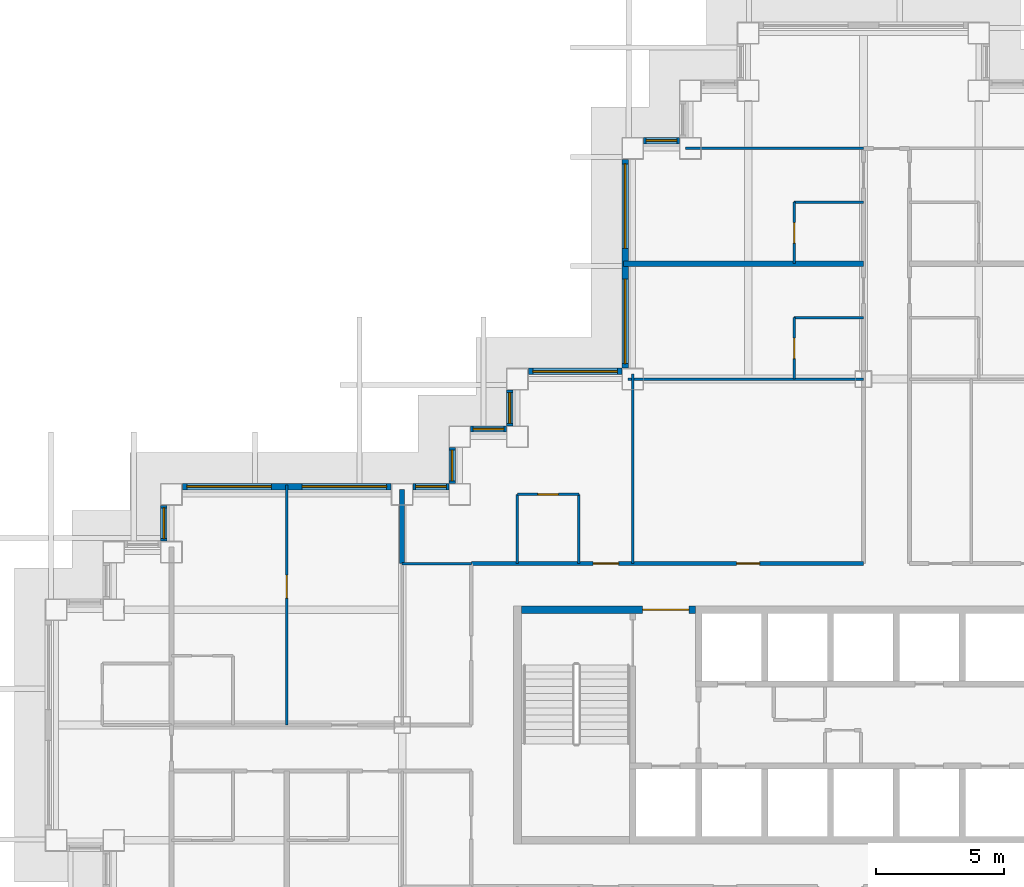
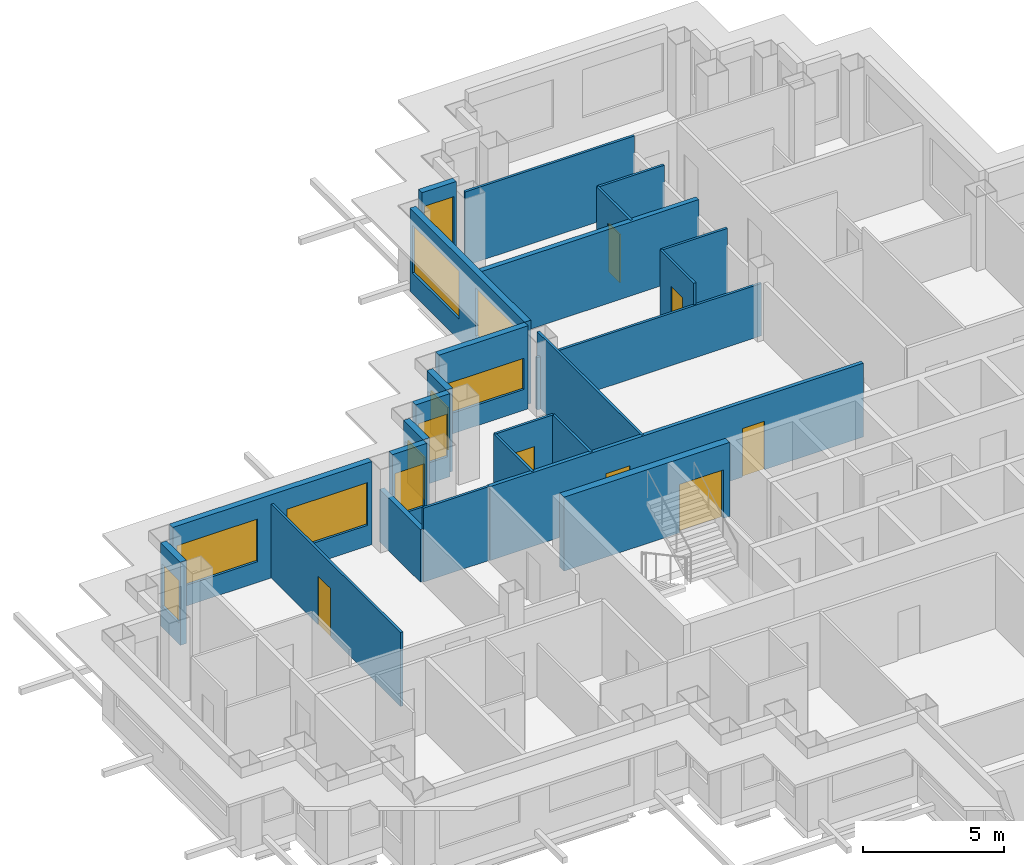
# One storey, part 9 of 17: 25 walls, 11 windows, 7 doors, 18 openings.
"""IFC4 building model written with IfcOpenShell, lengths in metres."""

from ifc_helpers import new_model, si_unit, direction, frame, frame_2d, origin, place, context, subcontext, project, spatial, rectangle, extrude, material, layer, layer_set, type_object, element, fill, save


model = new_model("IFC4")

# Units and contexts
model_context = context("Model", 3, precision=1e-05, world=origin(), true_north=direction((0.0, 1.0)))
body_context = subcontext(model_context, "Body", "Model", "MODEL_VIEW")
ifc_project = project(units=[si_unit("LENGTHUNIT", "METRE"), si_unit("AREAUNIT", "SQUARE_METRE"), si_unit("VOLUMEUNIT", "CUBIC_METRE"), si_unit("PLANEANGLEUNIT", "RADIAN"), si_unit("MASSUNIT", "GRAM", prefix="KILO")], contexts=[model_context])

# Site, building, storey
site_placement = place(None, origin())
site = spatial("IfcSite", under=ifc_project, at=site_placement, CompositionType="ELEMENT")
building_placement = place(site_placement, origin())
building = spatial("IfcBuilding", under=site, at=building_placement, Name="Caravel Reach Hotel and Residences", CompositionType="ELEMENT")
storey_placement = place(building_placement, frame((0.0, 0.0, 136.800048828125)))
storey = spatial("IfcBuildingStorey", under=building, at=storey_placement, Name="L34", CompositionType="ELEMENT", Elevation=136.800048828125)

# Wall, opening, door
ifc_material_1 = material(Name="Gypsum board on steel stud", Category="steel")
ifc_layer_1 = layer(ifc_material_1, 0.10009765625)
ifc_layer_set_1 = layer_set([ifc_layer_1], Name="Bathroom pod wall 100 mm")
wall_type_1 = type_object("IfcWallType", Name="Bathroom pod wall 100 mm", PredefinedType="PARTITIONING", material=ifc_layer_set_1)
wall_1_placement = place(storey_placement, frame((18.0, 36.0, 0.0), z_axis=(0.0, 0.0, 1.0), x_axis=(1.0, 0.0, 0.0)))
wall_1 = element("IfcWall", 1, at=wall_1_placement, inside=storey, type_object=wall_type_1, Name="L34 wall w092", PredefinedType="PARTITIONING", context=body_context, shape_type="SweptSolid", body=[
    extrude(rectangle(XDim=2.39990234375, YDim=0.10009765625, at=frame_2d((1.199951171875, 0.0))), origin(), (0.0, 0.0, 1.0), 3.199951171875),
])
opening_1_placement = place(wall_1_placement, frame((0.800048828125, 0.0, 0.0)))
opening_1 = element("IfcOpeningElement", 2, at=opening_1_placement, cuts=wall_1, Name="Opening D34-049", PredefinedType="OPENING", context=body_context, shape_type="SweptSolid", body=[
    extrude(rectangle(XDim=0.800048828125, YDim=2.10009765625, at=frame_2d((0.39990234375, 1.050048828125))), frame((0.0, 0.06005859375, 0.0), z_axis=(0.0, -1.0, 0.0), x_axis=(1.0, 0.0, 0.0)), (0.0, 0.0, 1.0), 0.1201171875),
])
ifc_material_2 = material(Name="Timber and steel door leaf", Category="steel")
door_type_1 = type_object("IfcDoorType", Name="Bathroom door 800 x 2100", OperationType="SINGLE_SWING_LEFT", PredefinedType="DOOR", material=ifc_material_2)
door_1_placement = place(opening_1_placement, origin())
door_1 = element("IfcDoor", 3, at=door_1_placement, inside=storey, type_object=door_type_1, Name="door D34-049", OperationType="SINGLE_SWING_LEFT", OverallHeight=2.10009765625, OverallWidth=0.800048828125, PredefinedType="DOOR", context=body_context, shape_type="SweptSolid", body=[
    extrude(rectangle(XDim=0.800048828125, YDim=2.10009765625, at=frame_2d((0.39990234375, 1.050048828125))), frame((0.0, 0.02490234375, 0.0), z_axis=(0.0, -1.0, 0.0), x_axis=(1.0, 0.0, 0.0)), (0.0, 0.0, 1.0), 0.050048828125),
])
fill(opening_1, door_1)

# Walls
for number, where, z_axis, x_axis, name in (
    (4, (28.800048828125, 42.89990234375, 0.0), (0.0, 0.0, 1.0), (1.0, 0.0, 0.0), "L34 wall w095"),
    (5, (28.800048828125, 47.39990234375, 0.0), (0.0, 0.0, 1.0), (1.0, 0.0, 0.0), "L34 wall w097"),
    (6, (18.0, 33.300048828125, 0.0), (0.0, 0.0, 1.0), (0.0, 1.0, 0.0), "L34 wall w102"),
    (7, (20.39990234375, 33.300048828125, 0.0), (0.0, 0.0, 1.0), (0.0, 1.0, 0.0), "L34 wall w104"),
):
    element("IfcWall", number, at=place(storey_placement, frame(where, z_axis=z_axis, x_axis=x_axis)), inside=storey, type_object=wall_type_1, Name=name, PredefinedType="PARTITIONING", context=body_context, shape_type="SweptSolid", body=[
        extrude(rectangle(XDim=2.699951171875, YDim=0.10009765625, at=frame_2d((1.35009765625, 0.0))), origin(), (0.0, 0.0, 1.0), 3.199951171875),
    ])

# Wall, opening, door
wall_2_placement = place(storey_placement, frame((28.800048828125, 40.5, 0.0), z_axis=(0.0, 0.0, 1.0), x_axis=(0.0, 1.0, 0.0)))
wall_2 = element("IfcWall", 8, at=wall_2_placement, inside=storey, type_object=wall_type_1, Name="L34 wall w109", PredefinedType="PARTITIONING", context=body_context, shape_type="SweptSolid", body=[
    extrude(rectangle(XDim=2.39990234375, YDim=0.10009765625, at=frame_2d((1.199951171875, 0.0))), origin(), (0.0, 0.0, 1.0), 3.199951171875),
])
opening_2_placement = place(wall_2_placement, frame((0.800048828125, 0.0, 0.0)))
opening_2 = element("IfcOpeningElement", 9, at=opening_2_placement, cuts=wall_2, Name="Opening D34-028", PredefinedType="OPENING", context=body_context, shape_type="SweptSolid", body=[
    extrude(rectangle(XDim=0.800048828125, YDim=2.10009765625, at=frame_2d((0.39990234375, 1.050048828125))), frame((0.0, 0.06005859375, 0.0), z_axis=(0.0, -1.0, 0.0), x_axis=(1.0, 0.0, 0.0)), (0.0, 0.0, 1.0), 0.1201171875),
])
door_2_placement = place(opening_2_placement, origin())
door_2 = element("IfcDoor", 10, at=door_2_placement, inside=storey, type_object=door_type_1, Name="door D34-028", OperationType="SINGLE_SWING_LEFT", OverallHeight=2.10009765625, OverallWidth=0.800048828125, PredefinedType="DOOR", context=body_context, shape_type="SweptSolid", body=[
    extrude(rectangle(XDim=0.800048828125, YDim=2.10009765625, at=frame_2d((0.39990234375, 1.050048828125))), frame((0.0, 0.02490234375, 0.0), z_axis=(0.0, -1.0, 0.0), x_axis=(1.0, 0.0, 0.0)), (0.0, 0.0, 1.0), 0.050048828125),
])
fill(opening_2, door_2)

wall_3_placement = place(storey_placement, frame((28.800048828125, 45.0, 0.0), z_axis=(0.0, 0.0, 1.0), x_axis=(0.0, 1.0, 0.0)))
wall_3 = element("IfcWall", 11, at=wall_3_placement, inside=storey, type_object=wall_type_1, Name="L34 wall w110", PredefinedType="PARTITIONING", context=body_context, shape_type="SweptSolid", body=[
    extrude(rectangle(XDim=2.39990234375, YDim=0.10009765625, at=frame_2d((1.199951171875, 0.0))), origin(), (0.0, 0.0, 1.0), 3.199951171875),
])
opening_3_placement = place(wall_3_placement, frame((0.800048828125, 0.0, 0.0)))
opening_3 = element("IfcOpeningElement", 12, at=opening_3_placement, cuts=wall_3, Name="Opening D34-030", PredefinedType="OPENING", context=body_context, shape_type="SweptSolid", body=[
    extrude(rectangle(XDim=0.800048828125, YDim=2.10009765625, at=frame_2d((0.39990234375, 1.050048828125))), frame((0.0, 0.06005859375, 0.0), z_axis=(0.0, -1.0, 0.0), x_axis=(1.0, 0.0, 0.0)), (0.0, 0.0, 1.0), 0.1201171875),
])
door_3_placement = place(opening_3_placement, origin())
door_3 = element("IfcDoor", 13, at=door_3_placement, inside=storey, type_object=door_type_1, Name="door D34-030", OperationType="SINGLE_SWING_LEFT", OverallHeight=2.10009765625, OverallWidth=0.800048828125, PredefinedType="DOOR", context=body_context, shape_type="SweptSolid", body=[
    extrude(rectangle(XDim=0.800048828125, YDim=2.10009765625, at=frame_2d((0.39990234375, 1.050048828125))), frame((0.0, 0.02490234375, 0.0), z_axis=(0.0, -1.0, 0.0), x_axis=(1.0, 0.0, 0.0)), (0.0, 0.0, 1.0), 0.050048828125),
])
fill(opening_3, door_3)

ifc_material_3 = material(Name="Concrete C60", Category="concrete")
ifc_layer_2 = layer(ifc_material_3, 0.300048828125)
ifc_layer_set_2 = layer_set([ifc_layer_2], Name="Core wall 300 mm EI 120")
wall_type_2 = type_object("IfcWallType", Name="Core wall 300 mm EI 120", PredefinedType="SHEAR", material=ifc_layer_set_2)
wall_4_placement = place(storey_placement, frame((18.14990234375, 31.5, 0.0), z_axis=(0.0, 0.0, 1.0), x_axis=(1.0, 0.0, 0.0)))
wall_4 = element("IfcWall", 14, at=wall_4_placement, inside=storey, type_object=wall_type_2, Name="L34 core wall N1", PredefinedType="SHEAR", context=body_context, shape_type="SweptSolid", body=[
    extrude(rectangle(XDim=6.796630859375, YDim=0.300048828125, at=frame_2d((3.3984375, 0.0))), origin(), (0.0, 0.0, 1.0), 3.199951171875),
])
opening_4_placement = place(wall_4_placement, frame((4.735595703125, 0.0, 0.0)))
opening_4 = element("IfcOpeningElement", 15, at=opening_4_placement, cuts=wall_4, Name="Opening D34-014", PredefinedType="OPENING", context=body_context, shape_type="SweptSolid", body=[
    extrude(rectangle(XDim=1.800048828125, YDim=2.10009765625, at=frame_2d((0.89990234375, 1.050048828125))), frame((0.0, 0.159912109375, 0.0), z_axis=(0.0, -1.0, 0.0), x_axis=(1.0, 0.0, 0.0)), (0.0, 0.0, 1.0), 0.320068359375),
])
ifc_material_4 = material(Name="Steel fire door leaf", Category="steel")
door_type_2 = type_object("IfcDoorType", Name="Fire lobby door pair 1800 x 2100 EI 90", OperationType="DOUBLE_DOOR_SINGLE_SWING", PredefinedType="DOOR", material=ifc_material_4)
door_4_placement = place(opening_4_placement, origin())
door_4 = element("IfcDoor", 16, at=door_4_placement, inside=storey, type_object=door_type_2, Name="lobby N door pair to corridor", OperationType="DOUBLE_DOOR_SINGLE_SWING", OverallHeight=2.10009765625, OverallWidth=1.800048828125, PredefinedType="DOOR", context=body_context, shape_type="SweptSolid", body=[
    extrude(rectangle(XDim=1.800048828125, YDim=2.10009765625, at=frame_2d((0.89990234375, 1.050048828125))), frame((0.0, 0.02490234375, 0.0), z_axis=(0.0, -1.0, 0.0), x_axis=(1.0, 0.0, 0.0)), (0.0, 0.0, 1.0), 0.050048828125),
])
fill(opening_4, door_4)

# Wall, openings, doors
ifc_material_5 = material(Name="Gypsum board on steel stud, fire-rated", Category="steel")
ifc_layer_3 = layer(ifc_material_5, 0.14990234375)
ifc_layer_set_3 = layer_set([ifc_layer_3], Name="Corridor wall 150 mm EI 60")
wall_type_3 = type_object("IfcWallType", Name="Corridor wall 150 mm EI 60", PredefinedType="PARTITIONING", material=ifc_layer_set_3)
wall_5_placement = place(storey_placement, frame((16.199951171875, 33.300048828125, 0.0), z_axis=(0.0, 0.0, 1.0), x_axis=(1.0, 0.0, 0.0)))
wall_5 = element("IfcWall", 17, at=wall_5_placement, inside=storey, type_object=wall_type_3, Name="L34 wall w017", PredefinedType="PARTITIONING", context=body_context, shape_type="SweptSolid", body=[
    extrude(rectangle(XDim=15.300048828125, YDim=0.14990234375, at=frame_2d((7.64990234375, 0.0))), origin(), (0.0, 0.0, 1.0), 3.199951171875),
])
opening_5_placement = place(wall_5_placement, frame((4.75, 0.0, 0.0)))
opening_5 = element("IfcOpeningElement", 18, at=opening_5_placement, cuts=wall_5, Name="Opening D34-048", PredefinedType="OPENING", context=body_context, shape_type="SweptSolid", body=[
    extrude(rectangle(XDim=1.0, YDim=2.10009765625, at=frame_2d((0.5, 1.050048828125))), frame((0.0, 0.0849609375, 0.0), z_axis=(0.0, -1.0, 0.0), x_axis=(1.0, 0.0, 0.0)), (0.0, 0.0, 1.0), 0.169921875),
])
opening_6_placement = place(wall_5_placement, frame((10.35009765625, 0.0, 0.0)))
opening_6 = element("IfcOpeningElement", 19, at=opening_6_placement, cuts=wall_5, Name="Opening D34-057", PredefinedType="OPENING", context=body_context, shape_type="SweptSolid", body=[
    extrude(rectangle(XDim=0.89990234375, YDim=2.10009765625, at=frame_2d((0.449951171875, 1.050048828125))), frame((0.0, 0.0849609375, 0.0), z_axis=(0.0, -1.0, 0.0), x_axis=(1.0, 0.0, 0.0)), (0.0, 0.0, 1.0), 0.169921875),
])
ifc_material_6 = material(Name="Timber and steel door leaf", Category="steel")
door_type_3 = type_object("IfcDoorType", Name="Door 900 x 2100 timber", OperationType="SINGLE_SWING_LEFT", PredefinedType="DOOR", material=ifc_material_6)
door_5_placement = place(opening_6_placement, origin())
door_5 = element("IfcDoor", 20, at=door_5_placement, inside=storey, type_object=door_type_3, Name="door D34-057", OperationType="SINGLE_SWING_RIGHT", OverallHeight=2.10009765625, OverallWidth=0.89990234375, PredefinedType="DOOR", context=body_context, shape_type="SweptSolid", body=[
    extrude(rectangle(XDim=0.89990234375, YDim=2.10009765625, at=frame_2d((0.449951171875, 1.050048828125))), frame((0.0, 0.02490234375, 0.0), z_axis=(0.0, -1.0, 0.0), x_axis=(1.0, 0.0, 0.0)), (0.0, 0.0, 1.0), 0.050048828125),
])
fill(opening_6, door_5)
ifc_material_7 = material(Name="Steel fire door leaf", Category="steel")
door_type_4 = type_object("IfcDoorType", Name="Guest room door 1000 x 2100 EI 30", OperationType="SINGLE_SWING_LEFT", PredefinedType="DOOR", material=ifc_material_7)
door_6_placement = place(opening_5_placement, origin())
door_6 = element("IfcDoor", 21, at=door_6_placement, inside=storey, type_object=door_type_4, Name="door D34-048", OperationType="SINGLE_SWING_RIGHT", OverallHeight=2.10009765625, OverallWidth=1.0, PredefinedType="DOOR", context=body_context, shape_type="SweptSolid", body=[
    extrude(rectangle(XDim=1.0, YDim=2.10009765625, at=frame_2d((0.5, 1.050048828125))), frame((0.0, 0.02490234375, 0.0), z_axis=(0.0, -1.0, 0.0), x_axis=(1.0, 0.0, 0.0)), (0.0, 0.0, 1.0), 0.050048828125),
])
fill(opening_5, door_6)

# Wall, opening, window
ifc_material_8 = material(Name="Insulated rainscreen wall, aluminium cladding", Category="aluminium")
ifc_layer_4 = layer(ifc_material_8, 0.25)
ifc_layer_set_4 = layer_set([ifc_layer_4], Name="EW1 Tower rainscreen wall")
wall_type_4 = type_object("IfcWallType", Name="EW1 Tower rainscreen wall", PredefinedType="SOLIDWALL", material=ifc_layer_set_4)
wall_6_placement = place(storey_placement, frame((24.324951171875, 49.800048828125, 0.0), z_axis=(0.0, 0.0, 1.0), x_axis=(-1.0, 0.0, 0.0)))
wall_6 = element("IfcWall", 22, at=wall_6_placement, inside=storey, type_object=wall_type_4, Name="External wall L34 N39.1", PredefinedType="SOLIDWALL", context=body_context, shape_type="SweptSolid", body=[
    extrude(rectangle(XDim=1.39990234375, YDim=0.25, at=frame_2d((0.699951171875, 0.0))), origin(), (0.0, 0.0, 1.0), 3.599853515625),
])
opening_7_placement = place(wall_6_placement, frame((0.10009765625, 0.0, 0.89990234375)))
opening_7 = element("IfcOpeningElement", 23, at=opening_7_placement, cuts=wall_6, Name="Opening WN9", PredefinedType="OPENING", context=body_context, shape_type="SweptSolid", body=[
    extrude(rectangle(XDim=1.199951171875, YDim=2.080078125, at=frame_2d((0.60009765625, 1.0400390625))), frame((0.0, 0.135009765625, 0.0), z_axis=(0.0, -1.0, 0.0), x_axis=(1.0, 0.0, 0.0)), (0.0, 0.0, 1.0), 0.27001953125),
])
ifc_material_9 = material(Name="Dark low-e glazing in black aluminium frame", Category="aluminium")
window_type_1 = type_object("IfcWindowType", Name="Hotel suite corner window 1200 x 2080", PartitioningType="SINGLE_PANEL", PredefinedType="WINDOW", material=ifc_material_9)
window_1_placement = place(opening_7_placement, origin())
window_1 = element("IfcWindow", 24, at=window_1_placement, inside=storey, type_object=window_type_1, Name="Window L34 N39.1.1", OverallHeight=2.080078125, OverallWidth=1.199951171875, PartitioningType="SINGLE_PANEL", PredefinedType="WINDOW", context=body_context, shape_type="SweptSolid", body=[
    extrude(rectangle(XDim=1.199951171875, YDim=2.080078125, at=frame_2d((0.60009765625, 1.0400390625))), frame((0.0, 0.030029296875, 0.0), z_axis=(0.0, -1.0, 0.0), x_axis=(1.0, 0.0, 0.0)), (0.0, 0.0, 1.0), 0.06005859375),
])
fill(opening_7, window_1)

# Wall, openings, windows
wall_7_placement = place(storey_placement, frame((22.199951171875, 49.074951171875, 0.0), z_axis=(0.0, 0.0, 1.0), x_axis=(0.0, -1.0, 0.0)))
wall_7 = element("IfcWall", 25, at=wall_7_placement, inside=storey, type_object=wall_type_4, Name="External wall L34 W40.1", PredefinedType="SOLIDWALL", context=body_context, shape_type="SweptSolid", body=[
    extrude(rectangle(XDim=8.14990234375, YDim=0.25, at=frame_2d((4.074951171875, 0.0))), origin(), (0.0, 0.0, 1.0), 3.599853515625),
])
opening_8_placement = place(wall_7_placement, frame((0.175048828125, 0.0, 0.89990234375)))
opening_8 = element("IfcOpeningElement", 26, at=opening_8_placement, cuts=wall_7, Name="Opening WN4", PredefinedType="OPENING", context=body_context, shape_type="SweptSolid", body=[
    extrude(rectangle(XDim=3.300048828125, YDim=2.080078125, at=frame_2d((1.64990234375, 1.0400390625))), frame((0.0, 0.135009765625, 0.0), z_axis=(0.0, -1.0, 0.0), x_axis=(1.0, 0.0, 0.0)), (0.0, 0.0, 1.0), 0.27001953125),
])
opening_9_placement = place(wall_7_placement, frame((4.675048828125, 0.0, 0.89990234375)))
opening_9 = element("IfcOpeningElement", 27, at=opening_9_placement, cuts=wall_7, Name="Opening WN4", PredefinedType="OPENING", context=body_context, shape_type="SweptSolid", body=[
    extrude(rectangle(XDim=3.300048828125, YDim=2.080078125, at=frame_2d((1.64990234375, 1.0400390625))), frame((0.0, 0.135009765625, 0.0), z_axis=(0.0, -1.0, 0.0), x_axis=(1.0, 0.0, 0.0)), (0.0, 0.0, 1.0), 0.27001953125),
])
ifc_material_10 = material(Name="Dark low-e glazing in black aluminium frame", Category="aluminium")
window_type_2 = type_object("IfcWindowType", Name="Hotel guest room window 3300 x 2080", PartitioningType="SINGLE_PANEL", PredefinedType="WINDOW", material=ifc_material_10)
window_2_placement = place(opening_8_placement, origin())
window_2 = element("IfcWindow", 28, at=window_2_placement, inside=storey, type_object=window_type_2, Name="Window L34 W40.1.1", OverallHeight=2.080078125, OverallWidth=3.300048828125, PartitioningType="SINGLE_PANEL", PredefinedType="WINDOW", context=body_context, shape_type="SweptSolid", body=[
    extrude(rectangle(XDim=3.300048828125, YDim=2.080078125, at=frame_2d((1.64990234375, 1.0400390625))), frame((0.0, 0.030029296875, 0.0), z_axis=(0.0, -1.0, 0.0), x_axis=(1.0, 0.0, 0.0)), (0.0, 0.0, 1.0), 0.06005859375),
])
fill(opening_8, window_2)
window_3_placement = place(opening_9_placement, origin())
window_3 = element("IfcWindow", 29, at=window_3_placement, inside=storey, type_object=window_type_2, Name="Window L34 W40.1.2", OverallHeight=2.080078125, OverallWidth=3.300048828125, PartitioningType="SINGLE_PANEL", PredefinedType="WINDOW", context=body_context, shape_type="SweptSolid", body=[
    extrude(rectangle(XDim=3.300048828125, YDim=2.080078125, at=frame_2d((1.64990234375, 1.0400390625))), frame((0.0, 0.030029296875, 0.0), z_axis=(0.0, -1.0, 0.0), x_axis=(1.0, 0.0, 0.0)), (0.0, 0.0, 1.0), 0.06005859375),
])
fill(opening_9, window_3)

# Wall, opening, window
wall_8_placement = place(storey_placement, frame((22.074951171875, 40.800048828125, 0.0), z_axis=(0.0, 0.0, 1.0), x_axis=(-1.0, 0.0, 0.0)))
wall_8 = element("IfcWall", 30, at=wall_8_placement, inside=storey, type_object=wall_type_4, Name="External wall L34 N41.1", PredefinedType="SOLIDWALL", context=body_context, shape_type="SweptSolid", body=[
    extrude(rectangle(XDim=3.64990234375, YDim=0.25, at=frame_2d((1.824951171875, 0.0))), origin(), (0.0, 0.0, 1.0), 3.599853515625),
])
opening_10_placement = place(wall_8_placement, frame((0.175048828125, 0.0, 0.89990234375)))
opening_10 = element("IfcOpeningElement", 31, at=opening_10_placement, cuts=wall_8, Name="Opening WN11", PredefinedType="OPENING", context=body_context, shape_type="SweptSolid", body=[
    extrude(rectangle(XDim=3.300048828125, YDim=1.35009765625, at=frame_2d((1.64990234375, 0.675048828125))), frame((0.0, 0.135009765625, 0.0), z_axis=(0.0, -1.0, 0.0), x_axis=(1.0, 0.0, 0.0)), (0.0, 0.0, 1.0), 0.27001953125),
])
ifc_material_11 = material(Name="Dark low-e glazing in black aluminium frame", Category="aluminium")
window_type_3 = type_object("IfcWindowType", Name="Hotel guest room window 3300 x 1350", PartitioningType="SINGLE_PANEL", PredefinedType="WINDOW", material=ifc_material_11)
window_4_placement = place(opening_10_placement, origin())
window_4 = element("IfcWindow", 32, at=window_4_placement, inside=storey, type_object=window_type_3, Name="Window L34 N41.1.1", OverallHeight=1.35009765625, OverallWidth=3.300048828125, PartitioningType="SINGLE_PANEL", PredefinedType="WINDOW", context=body_context, shape_type="SweptSolid", body=[
    extrude(rectangle(XDim=3.300048828125, YDim=1.35009765625, at=frame_2d((1.64990234375, 0.675048828125))), frame((0.0, 0.030029296875, 0.0), z_axis=(0.0, -1.0, 0.0), x_axis=(1.0, 0.0, 0.0)), (0.0, 0.0, 1.0), 0.06005859375),
])
fill(opening_10, window_4)

wall_9_placement = place(storey_placement, frame((17.699951171875, 40.074951171875, 0.0), z_axis=(0.0, 0.0, 1.0), x_axis=(0.0, -1.0, 0.0)))
wall_9 = element("IfcWall", 33, at=wall_9_placement, inside=storey, type_object=wall_type_4, Name="External wall L34 W42.1", PredefinedType="SOLIDWALL", context=body_context, shape_type="SweptSolid", body=[
    extrude(rectangle(XDim=1.39990234375, YDim=0.25, at=frame_2d((0.699951171875, 0.0))), origin(), (0.0, 0.0, 1.0), 3.599853515625),
])
opening_11_placement = place(wall_9_placement, frame((0.10009765625, 0.0, 0.89990234375)))
opening_11 = element("IfcOpeningElement", 34, at=opening_11_placement, cuts=wall_9, Name="Opening WN10", PredefinedType="OPENING", context=body_context, shape_type="SweptSolid", body=[
    extrude(rectangle(XDim=1.199951171875, YDim=1.85009765625, at=frame_2d((0.60009765625, 0.925048828125))), frame((0.0, 0.135009765625, 0.0), z_axis=(0.0, -1.0, 0.0), x_axis=(1.0, 0.0, 0.0)), (0.0, 0.0, 1.0), 0.27001953125),
])
ifc_material_12 = material(Name="Dark low-e glazing in black aluminium frame", Category="aluminium")
window_type_4 = type_object("IfcWindowType", Name="Hotel suite corner window 1200 x 1850", PartitioningType="SINGLE_PANEL", PredefinedType="WINDOW", material=ifc_material_12)
window_5_placement = place(opening_11_placement, origin())
window_5 = element("IfcWindow", 35, at=window_5_placement, inside=storey, type_object=window_type_4, Name="Window L34 W42.1.1", OverallHeight=1.85009765625, OverallWidth=1.199951171875, PartitioningType="SINGLE_PANEL", PredefinedType="WINDOW", context=body_context, shape_type="SweptSolid", body=[
    extrude(rectangle(XDim=1.199951171875, YDim=1.85009765625, at=frame_2d((0.60009765625, 0.925048828125))), frame((0.0, 0.030029296875, 0.0), z_axis=(0.0, -1.0, 0.0), x_axis=(1.0, 0.0, 0.0)), (0.0, 0.0, 1.0), 0.06005859375),
])
fill(opening_11, window_5)

wall_10_placement = place(storey_placement, frame((17.574951171875, 38.550048828125, 0.0), z_axis=(0.0, 0.0, 1.0), x_axis=(-1.0, 0.0, 0.0)))
wall_10 = element("IfcWall", 36, at=wall_10_placement, inside=storey, type_object=wall_type_4, Name="External wall L34 N43.1", PredefinedType="SOLIDWALL", context=body_context, shape_type="SweptSolid", body=[
    extrude(rectangle(XDim=1.39990234375, YDim=0.25, at=frame_2d((0.699951171875, 0.0))), origin(), (0.0, 0.0, 1.0), 3.599853515625),
])
opening_12_placement = place(wall_10_placement, frame((0.10009765625, 0.0, 0.89990234375)))
opening_12 = element("IfcOpeningElement", 37, at=opening_12_placement, cuts=wall_10, Name="Opening WN10", PredefinedType="OPENING", context=body_context, shape_type="SweptSolid", body=[
    extrude(rectangle(XDim=1.199951171875, YDim=1.85009765625, at=frame_2d((0.60009765625, 0.925048828125))), frame((0.0, 0.135009765625, 0.0), z_axis=(0.0, -1.0, 0.0), x_axis=(1.0, 0.0, 0.0)), (0.0, 0.0, 1.0), 0.27001953125),
])
window_6_placement = place(opening_12_placement, origin())
window_6 = element("IfcWindow", 38, at=window_6_placement, inside=storey, type_object=window_type_4, Name="Window L34 N43.1.1", OverallHeight=1.85009765625, OverallWidth=1.199951171875, PartitioningType="SINGLE_PANEL", PredefinedType="WINDOW", context=body_context, shape_type="SweptSolid", body=[
    extrude(rectangle(XDim=1.199951171875, YDim=1.85009765625, at=frame_2d((0.60009765625, 0.925048828125))), frame((0.0, 0.030029296875, 0.0), z_axis=(0.0, -1.0, 0.0), x_axis=(1.0, 0.0, 0.0)), (0.0, 0.0, 1.0), 0.06005859375),
])
fill(opening_12, window_6)

wall_11_placement = place(storey_placement, frame((15.449951171875, 37.824951171875, 0.0), z_axis=(0.0, 0.0, 1.0), x_axis=(0.0, -1.0, 0.0)))
wall_11 = element("IfcWall", 39, at=wall_11_placement, inside=storey, type_object=wall_type_4, Name="External wall L34 W44.1", PredefinedType="SOLIDWALL", context=body_context, shape_type="SweptSolid", body=[
    extrude(rectangle(XDim=1.39990234375, YDim=0.25, at=frame_2d((0.699951171875, 0.0))), origin(), (0.0, 0.0, 1.0), 3.599853515625),
])
opening_13_placement = place(wall_11_placement, frame((0.10009765625, 0.0, 0.89990234375)))
opening_13 = element("IfcOpeningElement", 40, at=opening_13_placement, cuts=wall_11, Name="Opening WN10", PredefinedType="OPENING", context=body_context, shape_type="SweptSolid", body=[
    extrude(rectangle(XDim=1.199951171875, YDim=1.85009765625, at=frame_2d((0.60009765625, 0.925048828125))), frame((0.0, 0.135009765625, 0.0), z_axis=(0.0, -1.0, 0.0), x_axis=(1.0, 0.0, 0.0)), (0.0, 0.0, 1.0), 0.27001953125),
])
window_7_placement = place(opening_13_placement, origin())
window_7 = element("IfcWindow", 41, at=window_7_placement, inside=storey, type_object=window_type_4, Name="Window L34 W44.1.1", OverallHeight=1.85009765625, OverallWidth=1.199951171875, PartitioningType="SINGLE_PANEL", PredefinedType="WINDOW", context=body_context, shape_type="SweptSolid", body=[
    extrude(rectangle(XDim=1.199951171875, YDim=1.85009765625, at=frame_2d((0.60009765625, 0.925048828125))), frame((0.0, 0.030029296875, 0.0), z_axis=(0.0, -1.0, 0.0), x_axis=(1.0, 0.0, 0.0)), (0.0, 0.0, 1.0), 0.06005859375),
])
fill(opening_13, window_7)

wall_12_placement = place(storey_placement, frame((15.324951171875, 36.300048828125, 0.0), z_axis=(0.0, 0.0, 1.0), x_axis=(-1.0, 0.0, 0.0)))
wall_12 = element("IfcWall", 42, at=wall_12_placement, inside=storey, type_object=wall_type_4, Name="External wall L34 N45.1", PredefinedType="SOLIDWALL", context=body_context, shape_type="SweptSolid", body=[
    extrude(rectangle(XDim=1.39990234375, YDim=0.25, at=frame_2d((0.699951171875, 0.0))), origin(), (0.0, 0.0, 1.0), 3.599853515625),
])
opening_14_placement = place(wall_12_placement, frame((0.10009765625, 0.0, 0.89990234375)))
opening_14 = element("IfcOpeningElement", 43, at=opening_14_placement, cuts=wall_12, Name="Opening WN10", PredefinedType="OPENING", context=body_context, shape_type="SweptSolid", body=[
    extrude(rectangle(XDim=1.199951171875, YDim=1.85009765625, at=frame_2d((0.60009765625, 0.925048828125))), frame((0.0, 0.135009765625, 0.0), z_axis=(0.0, -1.0, 0.0), x_axis=(1.0, 0.0, 0.0)), (0.0, 0.0, 1.0), 0.27001953125),
])
window_8_placement = place(opening_14_placement, origin())
window_8 = element("IfcWindow", 44, at=window_8_placement, inside=storey, type_object=window_type_4, Name="Window L34 N45.1.1", OverallHeight=1.85009765625, OverallWidth=1.199951171875, PartitioningType="SINGLE_PANEL", PredefinedType="WINDOW", context=body_context, shape_type="SweptSolid", body=[
    extrude(rectangle(XDim=1.199951171875, YDim=1.85009765625, at=frame_2d((0.60009765625, 0.925048828125))), frame((0.0, 0.030029296875, 0.0), z_axis=(0.0, -1.0, 0.0), x_axis=(1.0, 0.0, 0.0)), (0.0, 0.0, 1.0), 0.06005859375),
])
fill(opening_14, window_8)

# Wall, openings, windows
wall_13_placement = place(storey_placement, frame((13.074951171875, 36.300048828125, 0.0), z_axis=(0.0, 0.0, 1.0), x_axis=(-1.0, 0.0, 0.0)))
wall_13 = element("IfcWall", 45, at=wall_13_placement, inside=storey, type_object=wall_type_4, Name="External wall L34 N45.2", PredefinedType="SOLIDWALL", context=body_context, shape_type="SweptSolid", body=[
    extrude(rectangle(XDim=8.14990234375, YDim=0.25, at=frame_2d((4.074951171875, 0.0))), origin(), (0.0, 0.0, 1.0), 3.599853515625),
])
opening_15_placement = place(wall_13_placement, frame((0.175048828125, 0.0, 0.89990234375)))
opening_15 = element("IfcOpeningElement", 46, at=opening_15_placement, cuts=wall_13, Name="Opening WN7", PredefinedType="OPENING", context=body_context, shape_type="SweptSolid", body=[
    extrude(rectangle(XDim=3.300048828125, YDim=1.85009765625, at=frame_2d((1.64990234375, 0.925048828125))), frame((0.0, 0.135009765625, 0.0), z_axis=(0.0, -1.0, 0.0), x_axis=(1.0, 0.0, 0.0)), (0.0, 0.0, 1.0), 0.27001953125),
])
opening_16_placement = place(wall_13_placement, frame((4.675048828125, 0.0, 0.89990234375)))
opening_16 = element("IfcOpeningElement", 47, at=opening_16_placement, cuts=wall_13, Name="Opening WN7", PredefinedType="OPENING", context=body_context, shape_type="SweptSolid", body=[
    extrude(rectangle(XDim=3.300048828125, YDim=1.85009765625, at=frame_2d((1.64990234375, 0.925048828125))), frame((0.0, 0.135009765625, 0.0), z_axis=(0.0, -1.0, 0.0), x_axis=(1.0, 0.0, 0.0)), (0.0, 0.0, 1.0), 0.27001953125),
])
ifc_material_13 = material(Name="Dark low-e glazing in black aluminium frame", Category="aluminium")
window_type_5 = type_object("IfcWindowType", Name="Hotel guest room window 3300 x 1850", PartitioningType="SINGLE_PANEL", PredefinedType="WINDOW", material=ifc_material_13)
window_9_placement = place(opening_15_placement, origin())
window_9 = element("IfcWindow", 48, at=window_9_placement, inside=storey, type_object=window_type_5, Name="Window L34 N45.2.1", OverallHeight=1.85009765625, OverallWidth=3.300048828125, PartitioningType="SINGLE_PANEL", PredefinedType="WINDOW", context=body_context, shape_type="SweptSolid", body=[
    extrude(rectangle(XDim=3.300048828125, YDim=1.85009765625, at=frame_2d((1.64990234375, 0.925048828125))), frame((0.0, 0.030029296875, 0.0), z_axis=(0.0, -1.0, 0.0), x_axis=(1.0, 0.0, 0.0)), (0.0, 0.0, 1.0), 0.06005859375),
])
fill(opening_15, window_9)
window_10_placement = place(opening_16_placement, origin())
window_10 = element("IfcWindow", 49, at=window_10_placement, inside=storey, type_object=window_type_5, Name="Window L34 N45.2.2", OverallHeight=1.85009765625, OverallWidth=3.300048828125, PartitioningType="SINGLE_PANEL", PredefinedType="WINDOW", context=body_context, shape_type="SweptSolid", body=[
    extrude(rectangle(XDim=3.300048828125, YDim=1.85009765625, at=frame_2d((1.64990234375, 0.925048828125))), frame((0.0, 0.030029296875, 0.0), z_axis=(0.0, -1.0, 0.0), x_axis=(1.0, 0.0, 0.0)), (0.0, 0.0, 1.0), 0.06005859375),
])
fill(opening_16, window_10)

# Wall, opening, window
wall_14_placement = place(storey_placement, frame((4.199951171875, 35.574951171875, 0.0), z_axis=(0.0, 0.0, 1.0), x_axis=(0.0, -1.0, 0.0)))
wall_14 = element("IfcWall", 50, at=wall_14_placement, inside=storey, type_object=wall_type_4, Name="External wall L34 W46.1", PredefinedType="SOLIDWALL", context=body_context, shape_type="SweptSolid", body=[
    extrude(rectangle(XDim=1.39990234375, YDim=0.25, at=frame_2d((0.699951171875, 0.0))), origin(), (0.0, 0.0, 1.0), 3.599853515625),
])
opening_17_placement = place(wall_14_placement, frame((0.10009765625, 0.0, 0.89990234375)))
opening_17 = element("IfcOpeningElement", 51, at=opening_17_placement, cuts=wall_14, Name="Opening WN10", PredefinedType="OPENING", context=body_context, shape_type="SweptSolid", body=[
    extrude(rectangle(XDim=1.199951171875, YDim=1.85009765625, at=frame_2d((0.60009765625, 0.925048828125))), frame((0.0, 0.135009765625, 0.0), z_axis=(0.0, -1.0, 0.0), x_axis=(1.0, 0.0, 0.0)), (0.0, 0.0, 1.0), 0.27001953125),
])
window_11_placement = place(opening_17_placement, origin())
window_11 = element("IfcWindow", 52, at=window_11_placement, inside=storey, type_object=window_type_4, Name="Window L34 W46.1.1", OverallHeight=1.85009765625, OverallWidth=1.199951171875, PartitioningType="SINGLE_PANEL", PredefinedType="WINDOW", context=body_context, shape_type="SweptSolid", body=[
    extrude(rectangle(XDim=1.199951171875, YDim=1.85009765625, at=frame_2d((0.60009765625, 0.925048828125))), frame((0.0, 0.030029296875, 0.0), z_axis=(0.0, -1.0, 0.0), x_axis=(1.0, 0.0, 0.0)), (0.0, 0.0, 1.0), 0.06005859375),
])
fill(opening_17, window_11)

# Walls
ifc_material_14 = material(Name="Gypsum board on steel stud", Category="steel")
ifc_layer_5 = layer(ifc_material_14, 0.10009765625)
ifc_layer_set_5 = layer_set([ifc_layer_5], Name="Partition 100 mm")
wall_type_5 = type_object("IfcWallType", Name="Partition 100 mm", PredefinedType="PARTITIONING", material=ifc_layer_set_5)
wall_15_placement = place(storey_placement, frame((13.5, 33.300048828125, 0.0), z_axis=(0.0, 0.0, 1.0), x_axis=(1.0, 0.0, 0.0)))
element("IfcWall", 53, at=wall_15_placement, inside=storey, type_object=wall_type_5, Name="L34 wall w047", PredefinedType="PARTITIONING", context=body_context, shape_type="SweptSolid", body=[
    extrude(rectangle(XDim=2.699951171875, YDim=0.10009765625, at=frame_2d((1.35009765625, 0.0))), origin(), (0.0, 0.0, 1.0), 3.199951171875),
])
wall_16_placement = place(storey_placement, frame((22.31005859375, 40.5, 0.0), z_axis=(0.0, 0.0, 1.0), x_axis=(1.0, 0.0, 0.0)))
element("IfcWall", 54, at=wall_16_placement, inside=storey, type_object=wall_type_5, Name="L34 wall w051", PredefinedType="PARTITIONING", context=body_context, shape_type="SweptSolid", body=[
    extrude(rectangle(XDim=9.18994140625, YDim=0.10009765625, at=frame_2d((4.594970703125, 0.0))), origin(), (0.0, 0.0, 1.0), 2.26806640625),
])
wall_17_placement = place(storey_placement, frame((24.56005859375, 49.5, 0.0), z_axis=(0.0, 0.0, 1.0), x_axis=(1.0, 0.0, 0.0)))
element("IfcWall", 55, at=wall_17_placement, inside=storey, type_object=wall_type_5, Name="L34 wall w053", PredefinedType="PARTITIONING", context=body_context, shape_type="SweptSolid", body=[
    extrude(rectangle(XDim=6.93994140625, YDim=0.10009765625, at=frame_2d((3.469970703125, 0.0))), origin(), (0.0, 0.0, 1.0), 3.199951171875),
])
wall_18_placement = place(storey_placement, frame((22.5, 33.300048828125, 0.0), z_axis=(0.0, 0.0, 1.0), x_axis=(0.0, 1.0, 0.0)))
element("IfcWall", 56, at=wall_18_placement, inside=storey, type_object=wall_type_5, Name="L34 wall w057", PredefinedType="PARTITIONING", context=body_context, shape_type="SweptSolid", body=[
    extrude(rectangle(XDim=7.389892578125, YDim=0.10009765625, at=frame_2d((3.69482421875, 0.0))), origin(), (0.0, 0.0, 1.0), 3.199951171875),
])

# Wall, opening, door
wall_19_placement = place(storey_placement, frame((9.0, 27.0, 0.0), z_axis=(0.0, 0.0, 1.0), x_axis=(0.0, 1.0, 0.0)))
wall_19 = element("IfcWall", 57, at=wall_19_placement, inside=storey, type_object=wall_type_5, Name="L34 wall w069", PredefinedType="PARTITIONING", context=body_context, shape_type="SweptSolid", body=[
    extrude(rectangle(XDim=9.364990234375, YDim=0.10009765625, at=frame_2d((4.6826171875, 0.0))), origin(), (0.0, 0.0, 1.0), 3.199951171875),
])
opening_18_placement = place(wall_19_placement, frame((4.949951171875, 0.0, 0.0)))
opening_18 = element("IfcOpeningElement", 58, at=opening_18_placement, cuts=wall_19, Name="Opening D34-021", PredefinedType="OPENING", context=body_context, shape_type="SweptSolid", body=[
    extrude(rectangle(XDim=0.89990234375, YDim=2.10009765625, at=frame_2d((0.449951171875, 1.050048828125))), frame((0.0, 0.06005859375, 0.0), z_axis=(0.0, -1.0, 0.0), x_axis=(1.0, 0.0, 0.0)), (0.0, 0.0, 1.0), 0.1201171875),
])
door_7_placement = place(opening_18_placement, origin())
door_7 = element("IfcDoor", 59, at=door_7_placement, inside=storey, type_object=door_type_3, Name="door D34-021", OperationType="SINGLE_SWING_RIGHT", OverallHeight=2.10009765625, OverallWidth=0.89990234375, PredefinedType="DOOR", context=body_context, shape_type="SweptSolid", body=[
    extrude(rectangle(XDim=0.89990234375, YDim=2.10009765625, at=frame_2d((0.449951171875, 1.050048828125))), frame((0.0, 0.02490234375, 0.0), z_axis=(0.0, -1.0, 0.0), x_axis=(1.0, 0.0, 0.0)), (0.0, 0.0, 1.0), 0.050048828125),
])
fill(opening_18, door_7)

# Walls
ifc_material_15 = material(Name="Autoclaved aerated block wall")
ifc_layer_6 = layer(ifc_material_15, 0.199951171875)
ifc_layer_set_6 = layer_set([ifc_layer_6], Name="Party wall 200 mm EI 60")
wall_type_6 = type_object("IfcWallType", Name="Party wall 200 mm EI 60", PredefinedType="PARTITIONING", material=ifc_layer_set_6)
wall_20_placement = place(storey_placement, frame((22.135009765625, 45.0, 0.0), z_axis=(0.0, 0.0, 1.0), x_axis=(1.0, 0.0, 0.0)))
element("IfcWall", 60, at=wall_20_placement, inside=storey, type_object=wall_type_6, Name="L34 wall w073", PredefinedType="PARTITIONING", context=body_context, shape_type="SweptSolid", body=[
    extrude(rectangle(XDim=9.364990234375, YDim=0.199951171875, at=frame_2d((4.6826171875, 0.0))), origin(), (0.0, 0.0, 1.0), 3.199951171875),
])
wall_21_placement = place(storey_placement, frame((13.5, 33.300048828125, 0.0), z_axis=(0.0, 0.0, 1.0), x_axis=(0.0, 1.0, 0.0)))
element("IfcWall", 61, at=wall_21_placement, inside=storey, type_object=wall_type_6, Name="L34 wall w076", PredefinedType="PARTITIONING", context=body_context, shape_type="SweptSolid", body=[
    extrude(rectangle(XDim=2.889892578125, YDim=0.199951171875, at=frame_2d((1.44482421875, 0.0))), origin(), (0.0, 0.0, 1.0), 2.280029296875),
])

save(model, "model.ifc")
